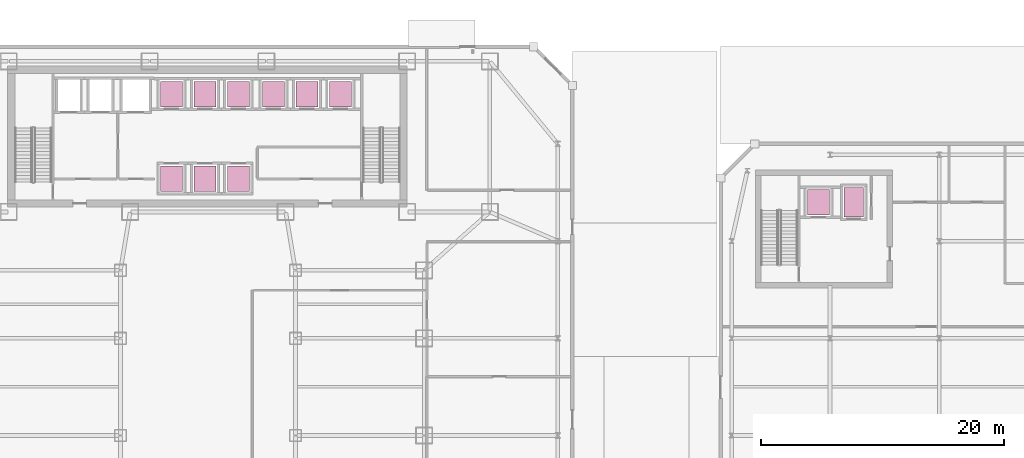
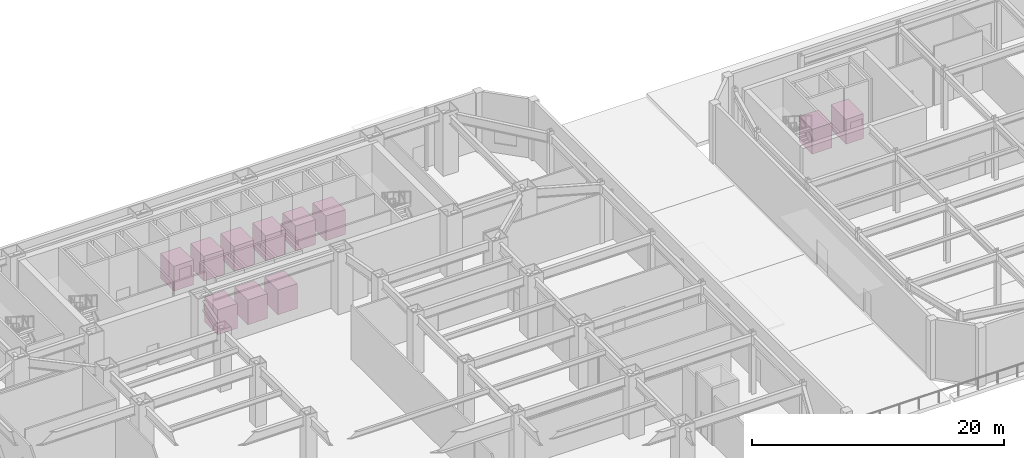
# One storey, part 23 of 23: 11 transport elements.
"""IFC4 building model written with IfcOpenShell, lengths in metres."""

import ifcopenshell
import ifcopenshell.guid

model = None  # the IFC model being written
_history = None  # IfcOwnerHistory: only IFC2X3 demands one
_inside = {}  # id of a spatial element -> (the spatial element, [elements in it])
_under = {}  # id of a project, library or spatial element -> (it, [spatial elements below it])
_declared = {}  # id of a project -> (the project, [libraries it declares])
_typed = {}  # id of a type object -> (the type object, [elements of that type])
_made_of = {}  # id of a material, layer set ... -> (it, [elements and type objects made of it])


def new_model(schema):
    """Start an empty IFC model of exactly this schema.

    Asked for "IFC4X3", IfcOpenShell would pick the latest addendum, in which some entities
    have other attributes; the version numbers below select the first issue.
    IFC2X3 requires an IfcOwnerHistory on every rooted entity: one is made here for all.
    """
    global model, _history
    if schema == "IFC4X3":
        model = ifcopenshell.file(schema_version=(4, 3, 0, 0))
    else:
        model = ifcopenshell.file(schema=schema)
    _inside.clear()
    _under.clear()
    _declared.clear()
    _typed.clear()
    _made_of.clear()
    _history = None
    if model.schema == "IFC2X3":
        org = make("IfcOrganization", Name="unknown")
        user = make(
            "IfcPersonAndOrganization",
            ThePerson=make("IfcPerson", FamilyName="unknown"),
            TheOrganization=org,
        )
        app = make(
            "IfcApplication",
            ApplicationDeveloper=org,
            Version="unknown",
            ApplicationFullName="unknown",
            ApplicationIdentifier="unknown",
        )
        _history = make(
            "IfcOwnerHistory",
            OwningUser=user,
            OwningApplication=app,
            ChangeAction="ADDED",
            CreationDate=0,
        )
    return model


def make(cls, **values):
    """One entity of the class cls with the attributes given. An attribute that is None is left unset."""
    return model.create_entity(
        cls, **{name: value for name, value in values.items() if value is not None}
    )


def rooted(cls, **values):
    """An entity with a GlobalId (a new one), such as an element, a storey or a relation."""
    return make(cls, GlobalId=ifcopenshell.guid.new(), OwnerHistory=_history, **values)


def si_unit(unit_type, name, prefix=None):
    """IfcSIUnit, for example si_unit("LENGTHUNIT", "METRE", prefix="MILLI")."""
    return make("IfcSIUnit", UnitType=unit_type, Prefix=prefix, Name=name)


def assignment(units):
    """IfcUnitAssignment: the units of a project."""
    return None if units is None else make("IfcUnitAssignment", Units=units)


def point(xyz):
    """IfcCartesianPoint."""
    return None if xyz is None else make("IfcCartesianPoint", Coordinates=xyz)


def direction(xyz):
    """IfcDirection."""
    return None if xyz is None else make("IfcDirection", DirectionRatios=xyz)


def frame(location, z_axis=None, x_axis=None):
    """IfcAxis2Placement3D, a coordinate frame: its origin and axes. An axis left out is left unset."""
    return make(
        "IfcAxis2Placement3D",
        Location=point(location),
        Axis=direction(z_axis),
        RefDirection=direction(x_axis),
    )


def frame_2d(location, x_axis=None):
    """IfcAxis2Placement2D, a coordinate frame in the plane: its origin and x axis."""
    return make(
        "IfcAxis2Placement2D", Location=point(location), RefDirection=direction(x_axis)
    )


def origin():
    """The frame at (0, 0, 0) with its axes left unset."""
    return frame((0.0, 0.0, 0.0))


def origin_2d():
    """The frame at (0, 0) in the plane with its x axis left unset."""
    return frame_2d((0.0, 0.0))


def place(relative_to, where):
    """IfcLocalPlacement: puts the frame where relative to a parent placement (None: the world)."""
    return make(
        "IfcLocalPlacement", PlacementRelTo=relative_to, RelativePlacement=where
    )


def context(
    kind, dimensions, precision=None, world=None, true_north=None, identifier=None
):
    """IfcGeometricRepresentationContext, for example the 3D "Model" context."""
    return make(
        "IfcGeometricRepresentationContext",
        ContextIdentifier=identifier,
        ContextType=kind,
        CoordinateSpaceDimension=dimensions,
        Precision=precision,
        WorldCoordinateSystem=world,
        TrueNorth=true_north,
    )


def subcontext(parent, identifier, kind, view, scale=None):
    """IfcGeometricRepresentationSubContext, for example "Body" below "Model"."""
    return make(
        "IfcGeometricRepresentationSubContext",
        ContextIdentifier=identifier,
        ContextType=kind,
        ParentContext=parent,
        TargetScale=scale,
        TargetView=view,
    )


def project(units=None, contexts=None):
    """IfcProject with its units and contexts."""
    return rooted(
        "IfcProject",
        Name="project",
        RepresentationContexts=contexts,
        UnitsInContext=assignment(units),
    )


def spatial(cls, under=None, at=None, **own):
    """A site, building, storey or space (cls), placed at a placement, below another one or the project."""
    s = rooted(cls, ObjectPlacement=at, **own)
    if under is not None:
        _under.setdefault(under.id(), (under, []))[1].append(s)
    return s


def profile(cls, at=None, kind="AREA", **sizes):
    """A parametric profile (cls). Its sizes go by their IFC names, for example OverallWidth=200.0."""
    return make(cls, ProfileType=kind, Position=at, **sizes)


def rectangle(**sizes):
    """IfcRectangleProfileDef."""
    return profile("IfcRectangleProfileDef", **sizes)


def extrude(swept, where, along, depth):
    """IfcExtrudedAreaSolid: the profile swept, set in the frame where, extruded along a direction by depth."""
    return make(
        "IfcExtrudedAreaSolid",
        SweptArea=swept,
        Position=where,
        ExtrudedDirection=direction(along),
        Depth=depth,
    )


def shape(context_of_items, identifier, shape_type, items):
    """IfcShapeRepresentation: the items that make up one representation, for example the "Body"."""
    return make(
        "IfcShapeRepresentation",
        ContextOfItems=context_of_items,
        RepresentationIdentifier=identifier,
        RepresentationType=shape_type,
        Items=items,
    )


def material(Name=None, Category=None):
    """IfcMaterial."""
    return make("IfcMaterial", Name=Name, Category=Category)


def made_of(thing, what):
    """Note that an element or type object is made of a material, layer set ...; save() writes the relation."""
    if what is not None:
        _made_of.setdefault(what.id(), (what, []))[1].append(thing)
    return thing


def type_object(cls, material=None, **own):
    """A type object (cls), such as IfcWallType, which elements share."""
    return made_of(rooted(cls, **own), material)


def element(
    cls,
    number,
    at=None,
    inside=None,
    cuts=None,
    type_object=None,
    material=None,
    context=None,
    identifier="Body",
    shape_type=None,
    held_by="IfcProductDefinitionShape",
    body=None,
    shapes=None,
    **own,
):
    """One element of the class cls, such as IfcWall. Its Tag is "e" and its number.

    at: its placement. inside: the storey or other place that contains it. cuts: it is an
    opening in that element (IfcRelVoidsElement). A single representation is given by context,
    identifier, shape_type and body (its items); several are given by shapes. held_by: the class
    of the entity that holds the representations. save() writes the other relations.
    """
    e = rooted(cls, Tag="e%d" % number, ObjectPlacement=at, **own)
    if body is not None:
        shapes = [shape(context, identifier, shape_type, body)]
    if shapes is not None:
        e.Representation = make(held_by, Representations=shapes)
    if inside is not None:
        _inside.setdefault(inside.id(), (inside, []))[1].append(e)
    if cuts is not None:
        rooted(
            "IfcRelVoidsElement", RelatingBuildingElement=cuts, RelatedOpeningElement=e
        )
    if type_object is not None:
        _typed.setdefault(type_object.id(), (type_object, []))[1].append(e)
    return made_of(e, material)


def aggregate(whole, parts):
    """IfcRelAggregates: a whole, such as a stair, and the parts it consists of."""
    return rooted("IfcRelAggregates", RelatingObject=whole, RelatedObjects=parts)


def save(model, path):
    """Write the relations noted so far, then the file.

    IfcRelAggregates (storeys below a building ...), IfcRelContainedInSpatialStructure (elements
    in a storey), IfcRelDefinesByType, IfcRelAssociatesMaterial and IfcRelDeclares: one each for
    every whole, place, type object, material and project.
    """
    for whole, parts in _under.values():
        aggregate(whole, parts)
    for where, things in _inside.values():
        rooted(
            "IfcRelContainedInSpatialStructure",
            RelatedElements=things,
            RelatingStructure=where,
        )
    for kind, things in _typed.values():
        rooted("IfcRelDefinesByType", RelatedObjects=things, RelatingType=kind)
    for what, things in _made_of.values():
        rooted("IfcRelAssociatesMaterial", RelatedObjects=things, RelatingMaterial=what)
    for by, libraries in _declared.values():
        rooted("IfcRelDeclares", RelatingContext=by, RelatedDefinitions=libraries)
    model.write(path)


model = new_model("IFC4")

# Units and contexts
model_context = context("Model", 3, precision=1e-05, world=origin(), true_north=direction((0.0, 1.0)))
body_context = subcontext(model_context, "Body", "Model", "MODEL_VIEW")
ifc_project = project(units=[si_unit("LENGTHUNIT", "METRE"), si_unit("AREAUNIT", "SQUARE_METRE"), si_unit("VOLUMEUNIT", "CUBIC_METRE"), si_unit("PLANEANGLEUNIT", "RADIAN"), si_unit("MASSUNIT", "GRAM", prefix="KILO")], contexts=[model_context])

# Site, building, storey
site_placement = place(None, origin())
site = spatial("IfcSite", under=ifc_project, at=site_placement, CompositionType="ELEMENT")
building_placement = place(site_placement, origin())
building = spatial("IfcBuilding", under=site, at=building_placement, Name="Saevonmaru Cultural Tower", CompositionType="ELEMENT")
storey_placement = place(building_placement, origin())
storey = spatial("IfcBuildingStorey", under=building, at=storey_placement, Name="L00", CompositionType="ELEMENT", Elevation=0.0)

# Transport elements
ifc_material = material(Name="Satin Bronze Stainless Steel", Category="steel")
transport_element_type_1 = type_object("IfcTransportElementType", Name="TR-LIFT-HIGH", PredefinedType="ELEVATOR", material=ifc_material)
for number, where, z_axis, x_axis, name in (
    (1, (35.39990234375, 52.10009765625, 0.0), (0.0, 0.0, 1.0), (1.0, 0.0, 0.0), "Elevator PL-H1"),
    (2, (38.14990234375, 52.10009765625, 0.0), (0.0, 0.0, 1.0), (1.0, 0.0, 0.0), "Elevator PL-H2"),
    (3, (40.89990234375, 52.10009765625, 0.0), (0.0, 0.0, 1.0), (1.0, 0.0, 0.0), "Elevator PL-H3"),
):
    element("IfcTransportElement", number, at=place(storey_placement, frame(where, z_axis=z_axis, x_axis=x_axis)), inside=storey, type_object=transport_element_type_1, Name=name, PredefinedType="ELEVATOR", context=body_context, shape_type="SweptSolid", body=[
        extrude(rectangle(XDim=1.800048828125, YDim=2.10009765625, at=origin_2d()), origin(), (0.0, 0.0, 1.0), 2.39990234375),
    ])
transport_element_type_2 = type_object("IfcTransportElementType", Name="TR-LIFT-LIB-A", PredefinedType="ELEVATOR", material=ifc_material)
transport_element_1_placement = place(storey_placement, frame((80.25, 43.199951171875, 0.0), z_axis=(0.0, 0.0, 1.0), x_axis=(1.0, 0.0, 0.0)))
element("IfcTransportElement", 4, at=transport_element_1_placement, inside=storey, type_object=transport_element_type_2, Name="Elevator LLF-1", PredefinedType="ELEVATOR", context=body_context, shape_type="SweptSolid", body=[
    extrude(rectangle(XDim=1.800048828125, YDim=2.10009765625, at=origin_2d()), origin(), (0.0, 0.0, 1.0), 2.39990234375),
])
transport_element_type_3 = type_object("IfcTransportElementType", Name="TR-LIFT-LIB-B", PredefinedType="ELEVATOR", material=ifc_material)
transport_element_2_placement = place(storey_placement, frame((83.14990234375, 43.199951171875, 0.0), z_axis=(0.0, 0.0, 1.0), x_axis=(1.0, 0.0, 0.0)))
element("IfcTransportElement", 5, at=transport_element_2_placement, inside=storey, type_object=transport_element_type_3, Name="Elevator LLF-2", PredefinedType="ELEVATOR", context=body_context, shape_type="SweptSolid", body=[
    extrude(rectangle(XDim=1.60009765625, YDim=2.39990234375, at=origin_2d()), origin(), (0.0, 0.0, 1.0), 2.39990234375),
])
transport_element_type_4 = type_object("IfcTransportElementType", Name="TR-LIFT-LOW", PredefinedType="ELEVATOR", material=ifc_material)
for number, where, z_axis, x_axis, name in (
    (6, (27.0, 52.10009765625, 0.0), (0.0, 0.0, 1.0), (1.0, 0.0, 0.0), "Elevator PL-L1"),
    (7, (29.75, 52.10009765625, 0.0), (0.0, 0.0, 1.0), (1.0, 0.0, 0.0), "Elevator PL-L2"),
    (8, (32.5, 52.10009765625, 0.0), (0.0, 0.0, 1.0), (1.0, 0.0, 0.0), "Elevator PL-L3"),
):
    element("IfcTransportElement", number, at=place(storey_placement, frame(where, z_axis=z_axis, x_axis=x_axis)), inside=storey, type_object=transport_element_type_4, Name=name, PredefinedType="ELEVATOR", context=body_context, shape_type="SweptSolid", body=[
        extrude(rectangle(XDim=1.800048828125, YDim=2.10009765625, at=origin_2d()), origin(), (0.0, 0.0, 1.0), 2.39990234375),
    ])
transport_element_type_5 = type_object("IfcTransportElementType", Name="TR-LIFT-MID", PredefinedType="ELEVATOR", material=ifc_material)
for number, where, z_axis, x_axis, name in (
    (9, (27.0, 45.14990234375, 0.0), (0.0, 0.0, 1.0), (1.0, 0.0, 0.0), "Elevator PL-M1"),
    (10, (29.75, 45.14990234375, 0.0), (0.0, 0.0, 1.0), (1.0, 0.0, 0.0), "Elevator PL-M2"),
    (11, (32.5, 45.14990234375, 0.0), (0.0, 0.0, 1.0), (1.0, 0.0, 0.0), "Elevator PL-M3"),
):
    element("IfcTransportElement", number, at=place(storey_placement, frame(where, z_axis=z_axis, x_axis=x_axis)), inside=storey, type_object=transport_element_type_5, Name=name, PredefinedType="ELEVATOR", context=body_context, shape_type="SweptSolid", body=[
        extrude(rectangle(XDim=1.800048828125, YDim=2.10009765625, at=origin_2d()), origin(), (0.0, 0.0, 1.0), 2.39990234375),
    ])

save(model, "model.ifc")
